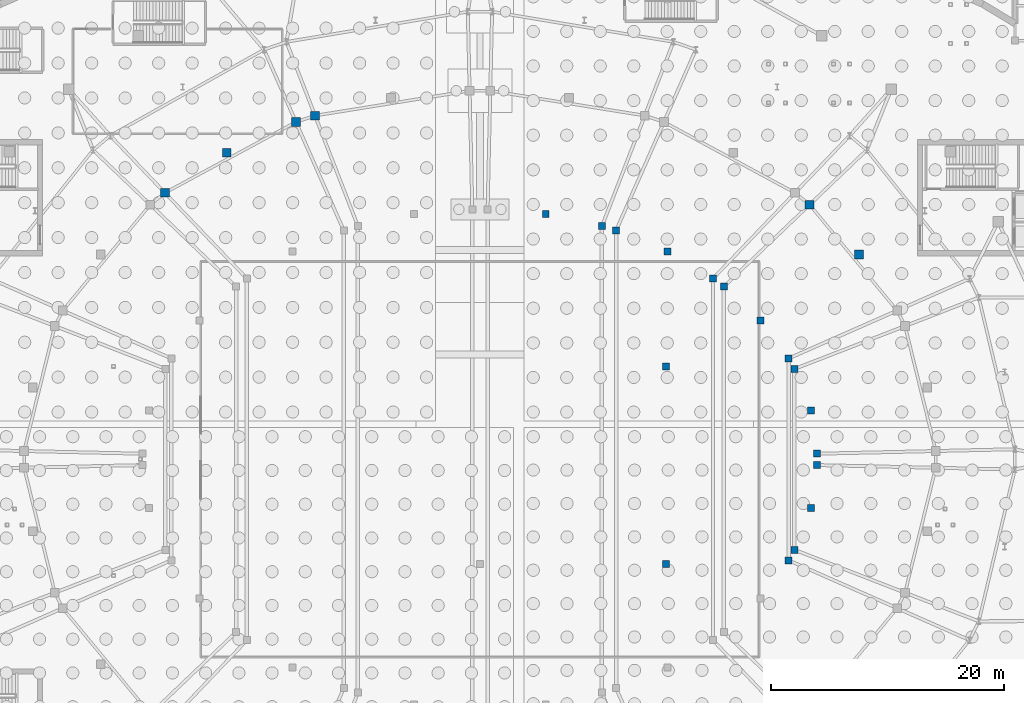
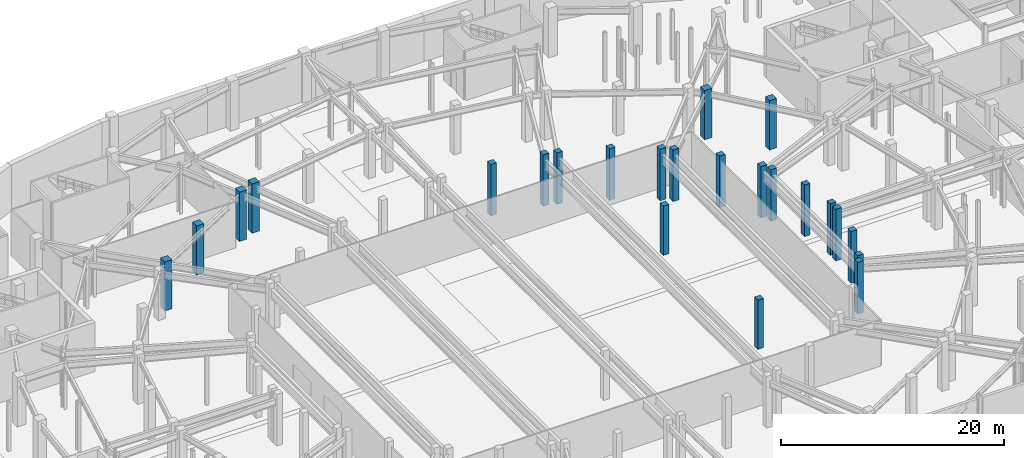
# One storey, part 22 of 56: 23 columns.
"""IFC4 building model written with IfcOpenShell, lengths in metres."""

from ifc_helpers import new_model, si_unit, direction, frame, origin, origin_2d, place, context, subcontext, project, spatial, rectangle, extrude, material, material_profile, profile_set, type_object, element, save


model = new_model("IFC4")

# Units and contexts
model_context = context("Model", 3, precision=1e-05, world=origin(), true_north=direction((0.0, 1.0)))
body_context = subcontext(model_context, "Body", "Model", "MODEL_VIEW")
ifc_project = project(units=[si_unit("LENGTHUNIT", "METRE"), si_unit("AREAUNIT", "SQUARE_METRE"), si_unit("VOLUMEUNIT", "CUBIC_METRE"), si_unit("PLANEANGLEUNIT", "RADIAN"), si_unit("MASSUNIT", "GRAM", prefix="KILO")], contexts=[model_context])

# Site, building, storey
site_placement = place(None, origin())
site = spatial("IfcSite", under=ifc_project, at=site_placement, CompositionType="ELEMENT")
building_placement = place(site_placement, origin())
building = spatial("IfcBuilding", under=site, at=building_placement, Name="Glasvene Arena", CompositionType="ELEMENT")
storey_placement = place(building_placement, frame((0.0, 0.0, -5.39990234375)))
storey = spatial("IfcBuildingStorey", under=building, at=storey_placement, Name="B1", CompositionType="ELEMENT", Elevation=-5.39990234375)

# Columns
ifc_material = material(Name="Concrete C40/50", Category="concrete")
ifc_material_profile_1 = material_profile(ifc_material, rectangle(XDim=0.60009765625, YDim=0.60009765625, at=origin_2d()), Name="RC 600x600")
ifc_profile_set_1 = profile_set([ifc_material_profile_1], Name="Concrete C40/50")
column_type_1 = type_object("IfcColumnType", Name="COL-IN-RC600", PredefinedType="COLUMN", material=ifc_profile_set_1)
for number, where, z_axis, x_axis, name in (
    (1, (120.992431640625, 73.48779296875, 0.0), (0.0, 0.0, 1.0), (1.0, 0.0, 0.0), "Inner pitch raker column B1 01-1"),
    (2, (119.037353515625, 80.77490234375, 0.0), (0.0, 0.0, 1.0), (1.0, 0.0, 0.0), "Inner pitch raker column B1 01-2"),
    (3, (118.53369140625, 81.67626953125, 0.0), (0.0, 0.0, 1.0), (1.0, 0.0, 0.0), "Inner pitch raker column B1 02-1"),
    (4, (112.966064453125, 87.85400390625, 0.0), (0.0, 0.0, 1.0), (1.0, 0.0, 0.0), "Inner pitch raker column B1 02-2"),
    (5, (112.03564453125, 88.543701171875, 0.0), (0.0, 0.0, 1.0), (1.0, 0.0, 0.0), "Inner pitch raker column B1 03-1"),
    (6, (103.702880859375, 92.671630859375, 0.0), (0.0, 0.0, 1.0), (1.0, 0.0, 0.0), "Inner pitch raker column B1 03-2"),
    (7, (102.487060546875, 93.044921875, 0.0), (0.0, 0.0, 1.0), (1.0, 0.0, 0.0), "Inner pitch raker column B1 04-1"),
    (8, (118.53369140625, 64.32373046875, 0.0), (0.0, 0.0, 1.0), (1.0, 0.0, 0.0), "Inner pitch raker column B1 15-2"),
    (9, (119.037353515625, 65.22509765625, 0.0), (0.0, 0.0, 1.0), (1.0, 0.0, 0.0), "Inner pitch raker column B1 16-1"),
    (10, (120.992431640625, 72.51220703125, 0.0), (0.0, 0.0, 1.0), (1.0, 0.0, 0.0), "Inner pitch raker column B1 16-2"),
):
    element("IfcColumn", number, at=place(storey_placement, frame(where, z_axis=z_axis, x_axis=x_axis)), inside=storey, type_object=column_type_1, Name=name, PredefinedType="COLUMN", context=body_context, shape_type="SweptSolid", body=[
        extrude(rectangle(XDim=0.60009765625, YDim=0.60009765625, at=origin_2d()), origin(), (0.0, 0.0, 1.0), 5.64990234375),
    ])
for number, where, z_axis, x_axis, name in (
    (11, (108.0, 64.0, 0.0), (0.0, 0.0, 1.0), (1.0, 0.0, 0.0), "Event floor central support column B1-2"),
    (12, (108.0, 81.0, 0.0), (0.0, 0.0, 1.0), (1.0, 0.0, 0.0), "Event floor central support column B1-3"),
):
    element("IfcColumn", number, at=place(storey_placement, frame(where, z_axis=z_axis, x_axis=x_axis)), inside=storey, type_object=column_type_1, Name=name, PredefinedType="COLUMN", context=body_context, shape_type="SweptSolid", body=[
        extrude(rectangle(XDim=0.60009765625, YDim=0.60009765625, at=origin_2d()), origin(), (0.0, 0.0, 1.0), 5.39990234375),
    ])
for number, where, z_axis, x_axis, name in (
    (13, (120.44287109375, 77.1943359375, 0.0), (0.0, 0.0, 1.0), (1.0, 0.0, 0.0), "Mid-sector pitch raker column 01"),
    (14, (116.112548828125, 84.94482421875, 0.0), (0.0, 0.0, 1.0), (1.0, 0.0, 0.0), "Mid-sector pitch raker column 02"),
    (15, (108.111572265625, 90.876708984375, 0.0), (0.0, 0.0, 1.0), (1.0, 0.0, 0.0), "Mid-sector pitch raker column 03"),
    (16, (97.65771484375, 94.0869140625, 0.0), (0.0, 0.0, 1.0), (1.0, 0.0, 0.0), "Mid-sector pitch raker column 04"),
    (17, (120.44287109375, 68.8056640625, 0.0), (0.0, 0.0, 1.0), (1.0, 0.0, 0.0), "Mid-sector pitch raker column 16"),
):
    element("IfcColumn", number, at=place(storey_placement, frame(where, z_axis=z_axis, x_axis=x_axis)), inside=storey, type_object=column_type_1, Name=name, PredefinedType="COLUMN", context=body_context, shape_type="SweptSolid", body=[
        extrude(rectangle(XDim=0.60009765625, YDim=0.60009765625, at=origin_2d()), origin(), (0.0, 0.0, 1.0), 5.64990234375),
    ])
ifc_material_profile_2 = material_profile(ifc_material, rectangle(XDim=0.75, YDim=0.75, at=origin_2d()), Name="RC 750x750")
ifc_profile_set_2 = profile_set([ifc_material_profile_2], Name="Concrete C40/50")
column_type_2 = type_object("IfcColumnType", Name="COL-MID-RC750", PredefinedType="COLUMN", material=ifc_profile_set_2)
for number, where, z_axis, x_axis, name in (
    (18, (120.34033203125, 94.90087890625, 0.0), (0.0, 0.0, 1.0), (1.0, 0.0, 0.0), "Mid-bowl fulcrum column B1 02-2"),
    (19, (77.82421875, 102.5546875, 0.0), (0.0, 0.0, 1.0), (1.0, 0.0, 0.0), "Mid-bowl fulcrum column B1 05-2"),
    (20, (76.180908203125, 102.004150390625, 0.0), (0.0, 0.0, 1.0), (1.0, 0.0, 0.0), "Mid-bowl fulcrum column B1 06-1"),
    (21, (64.91748046875, 95.918212890625, 0.0), (0.0, 0.0, 1.0), (1.0, 0.0, 0.0), "Mid-bowl fulcrum column B1 06-2"),
    (22, (124.593505859375, 90.611572265625, 0.0), (0.0, 0.0, 1.0), (1.0, 0.0, 0.0), "Mid-sector fulcrum column B1 02"),
    (23, (70.2216796875, 99.357666015625, 0.0), (0.0, 0.0, 1.0), (1.0, 0.0, 0.0), "Mid-sector fulcrum column B1 06"),
):
    element("IfcColumn", number, at=place(storey_placement, frame(where, z_axis=z_axis, x_axis=x_axis)), inside=storey, type_object=column_type_2, Name=name, PredefinedType="COLUMN", context=body_context, shape_type="SweptSolid", body=[
        extrude(rectangle(XDim=0.75, YDim=0.75, at=origin_2d()), origin(), (0.0, 0.0, 1.0), 5.39990234375),
    ])

save(model, "model.ifc")
